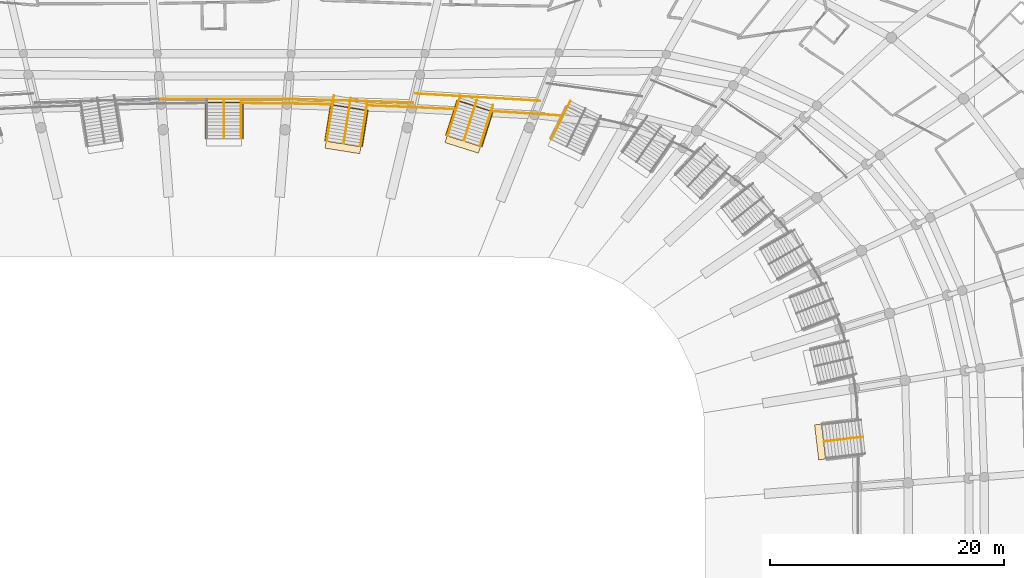
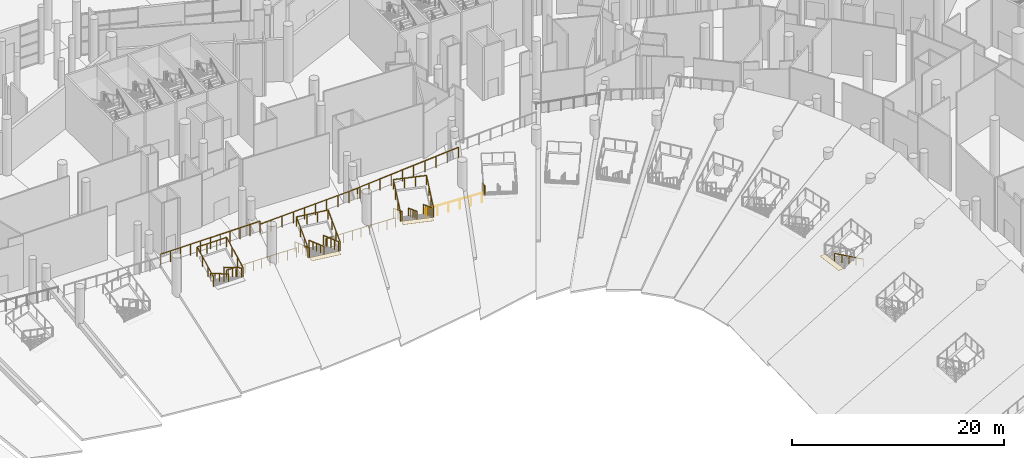
# One storey, part 239 of 255: 19 railings, 3 coverings.
"""IFC4 building model written with IfcOpenShell, lengths in metres."""

from ifc_helpers import new_model, si_unit, direction, frame, origin, origin_2d, place, context, subcontext, project, spatial, rectangle, circle, extrude, material, layer, layer_set, type_object, element, save


model = new_model("IFC4")

# Units and contexts
model_context = context("Model", 3, precision=1e-05, world=origin(), true_north=direction((0.0, 1.0)))
body_context = subcontext(model_context, "Body", "Model", "MODEL_VIEW")
ifc_project = project(units=[si_unit("LENGTHUNIT", "METRE"), si_unit("AREAUNIT", "SQUARE_METRE"), si_unit("VOLUMEUNIT", "CUBIC_METRE"), si_unit("PLANEANGLEUNIT", "RADIAN"), si_unit("MASSUNIT", "GRAM", prefix="KILO")], contexts=[model_context])

# Site, building, storey
site_placement = place(None, origin())
site = spatial("IfcSite", under=ifc_project, at=site_placement, CompositionType="ELEMENT")
building_placement = place(site_placement, origin())
building = spatial("IfcBuilding", under=site, at=building_placement, Name="Meseta Stadium", CompositionType="ELEMENT")
storey_placement = place(building_placement, origin())
storey = spatial("IfcBuildingStorey", under=building, at=storey_placement, Name="L00", CompositionType="ELEMENT", Elevation=0.0)

# Railings
ifc_material_1 = material(Name="Steel S355", Category="steel")
railing_type_1 = type_object("IfcRailingType", Name="Plate edge guard 1100", PredefinedType="GUARDRAIL", material=ifc_material_1)
railing_1_placement = place(storey_placement, frame((28.782958984375, 72.031005859375, 0.0)))
element("IfcRailing", 1, at=railing_1_placement, inside=storey, type_object=railing_type_1, Name="L00 inner edge guard 17", PredefinedType="GUARDRAIL", context=body_context, shape_type="SweptSolid", body=[
    extrude(circle(Radius=0.02490234375, at=origin_2d()), frame((0.0, 0.0, 1.0751953125), z_axis=(-0.99784849256, 0.065562076657, 0.0), x_axis=(-0.065562076657, -0.99784849256, 0.0)), (0.0, 0.0, 1.0), 2.31982421875),
    extrude(circle(Radius=0.02490234375, at=origin_2d()), frame((-2.31494140625, 0.152099609375, 1.0751953125), z_axis=(-0.998168496631, 0.060495060402, 0.0), x_axis=(-0.060495060402, -0.998168496631, 0.0)), (0.0, 0.0, 1.0), 3.57568359375),
    extrude(circle(Radius=0.02001953125, at=origin_2d()), origin(), (0.0, 0.0, 1.0), 1.050048828125),
    extrude(circle(Radius=0.02001953125, at=origin_2d()), frame((-1.157470703125, 0.076171875, 0.0)), (0.0, 0.0, 1.0), 1.050048828125),
    extrude(circle(Radius=0.02001953125, at=origin_2d()), frame((-2.31494140625, 0.152099609375, 0.0)), (0.0, 0.0, 1.0), 1.050048828125),
    extrude(circle(Radius=0.02001953125, at=origin_2d()), frame((-3.504638671875, 0.22412109375, 0.0)), (0.0, 0.0, 1.0), 1.050048828125),
    extrude(circle(Radius=0.02001953125, at=origin_2d()), frame((-4.6943359375, 0.29638671875, 0.0)), (0.0, 0.0, 1.0), 1.050048828125),
    extrude(circle(Radius=0.02001953125, at=origin_2d()), frame((-5.884033203125, 0.368408203125, 0.0)), (0.0, 0.0, 1.0), 1.050048828125),
])
railing_2_placement = place(storey_placement, frame((19.660400390625, 72.5751953125, 0.0)))
element("IfcRailing", 2, at=railing_2_placement, inside=storey, type_object=railing_type_1, Name="L00 inner edge guard 18", PredefinedType="GUARDRAIL", context=body_context, shape_type="SweptSolid", body=[
    extrude(circle(Radius=0.02490234375, at=origin_2d()), frame((0.0, 0.0, 1.0751953125), z_axis=(-0.99889955311, 0.04690077607, 0.0), x_axis=(-0.04690077607, -0.99889955311, 0.0)), (0.0, 0.0, 1.0), 3.64892578125),
    extrude(circle(Radius=0.02490234375, at=origin_2d()), frame((-3.64501953125, 0.171142578125, 1.0751953125), z_axis=(-0.999269861076, 0.038206606047, 0.0), x_axis=(-0.038206606047, -0.999269861076, 0.0)), (0.0, 0.0, 1.0), 3.725341796875),
    extrude(circle(Radius=0.02001953125, at=origin_2d()), origin(), (0.0, 0.0, 1.0), 1.050048828125),
    extrude(circle(Radius=0.02001953125, at=origin_2d()), frame((-0.9111328125, 0.042724609375, 0.0)), (0.0, 0.0, 1.0), 1.050048828125),
    extrude(circle(Radius=0.02001953125, at=origin_2d()), frame((-1.822509765625, 0.08544921875, 0.0)), (0.0, 0.0, 1.0), 1.050048828125),
    extrude(circle(Radius=0.02001953125, at=origin_2d()), frame((-2.73388671875, 0.12841796875, 0.0)), (0.0, 0.0, 1.0), 1.050048828125),
    extrude(circle(Radius=0.02001953125, at=origin_2d()), frame((-3.64501953125, 0.171142578125, 0.0)), (0.0, 0.0, 1.0), 1.050048828125),
    extrude(circle(Radius=0.02001953125, at=origin_2d()), frame((-4.57568359375, 0.206787109375, 0.0)), (0.0, 0.0, 1.0), 1.050048828125),
    extrude(circle(Radius=0.02001953125, at=origin_2d()), frame((-5.50634765625, 0.2421875, 0.0)), (0.0, 0.0, 1.0), 1.050048828125),
    extrude(circle(Radius=0.02001953125, at=origin_2d()), frame((-6.43701171875, 0.27783203125, 0.0)), (0.0, 0.0, 1.0), 1.050048828125),
    extrude(circle(Radius=0.02001953125, at=origin_2d()), frame((-7.36767578125, 0.3134765625, 0.0)), (0.0, 0.0, 1.0), 1.050048828125),
])
railing_3_placement = place(storey_placement, frame((9.12841796875, 72.982421875, 0.0)))
element("IfcRailing", 3, at=railing_3_placement, inside=storey, type_object=railing_type_1, Name="L00 inner edge guard 19", PredefinedType="GUARDRAIL", context=body_context, shape_type="SweptSolid", body=[
    extrude(circle(Radius=0.02490234375, at=origin_2d()), frame((0.0, 0.0, 1.0751953125), z_axis=(-0.999737298967, 0.022920145151, 0.0), x_axis=(-0.022920145151, -0.999737298967, 0.0)), (0.0, 0.0, 1.0), 1.981201171875),
    extrude(circle(Radius=0.02490234375, at=origin_2d()), frame((-1.980712890625, 0.04541015625, 1.0751953125), z_axis=(-0.99984668871, 0.017509970742, 0.0), x_axis=(-0.017509970742, -0.99984668871, 0.0)), (0.0, 0.0, 1.0), 1.78466796875),
    extrude(circle(Radius=0.02490234375, at=origin_2d()), frame((-3.76513671875, 0.07666015625, 1.0751953125), z_axis=(-0.99991923612, 0.012709100582, 0.0), x_axis=(-0.012709100582, -0.99991923612, 0.0)), (0.0, 0.0, 1.0), 1.78662109375),
    extrude(circle(Radius=0.02490234375, at=origin_2d()), frame((-5.551513671875, 0.099365234375, 1.0751953125), z_axis=(-0.999975107636, 0.007055785431, 0.0), x_axis=(-0.007055785431, -0.999975107636, 0.0)), (0.0, 0.0, 1.0), 2.0068359375),
    extrude(circle(Radius=0.02001953125, at=origin_2d()), origin(), (0.0, 0.0, 1.0), 1.050048828125),
    extrude(circle(Radius=0.02001953125, at=origin_2d()), frame((-0.990234375, 0.022705078125, 0.0)), (0.0, 0.0, 1.0), 1.050048828125),
    extrude(circle(Radius=0.02001953125, at=origin_2d()), frame((-1.980712890625, 0.04541015625, 0.0)), (0.0, 0.0, 1.0), 1.050048828125),
    extrude(circle(Radius=0.02001953125, at=origin_2d()), frame((-2.873046875, 0.06103515625, 0.0)), (0.0, 0.0, 1.0), 1.050048828125),
    extrude(circle(Radius=0.02001953125, at=origin_2d()), frame((-3.76513671875, 0.07666015625, 0.0)), (0.0, 0.0, 1.0), 1.050048828125),
    extrude(circle(Radius=0.02001953125, at=origin_2d()), frame((-4.658203125, 0.087890625, 0.0)), (0.0, 0.0, 1.0), 1.050048828125),
    extrude(circle(Radius=0.02001953125, at=origin_2d()), frame((-5.551513671875, 0.099365234375, 0.0)), (0.0, 0.0, 1.0), 1.050048828125),
    extrude(circle(Radius=0.02001953125, at=origin_2d()), frame((-6.554931640625, 0.1064453125, 0.0)), (0.0, 0.0, 1.0), 1.050048828125),
    extrude(circle(Radius=0.02001953125, at=origin_2d()), frame((-7.558349609375, 0.113525390625, 0.0)), (0.0, 0.0, 1.0), 1.050048828125),
])
ifc_material_2 = material(Name="Steel S355", Category="steel")
railing_type_2 = type_object("IfcRailingType", Name="Stand rear guard 1300", PredefinedType="GUARDRAIL", material=ifc_material_2)
railing_4_placement = place(storey_placement, frame((26.941162109375, 73.291748046875, 4.943603515625)))
element("IfcRailing", 4, at=railing_4_placement, inside=storey, type_object=railing_type_2, Name="Stand lower tier rear guard bay 17", PredefinedType="GUARDRAIL", context=body_context, shape_type="SweptSolid", body=[
    extrude(circle(Radius=0.02490234375, at=origin_2d()), frame((0.0, 0.0, 1.27490234375), z_axis=(-0.990502676823, 0.05772016931, -0.124791142557), x_axis=(-0.058174920753, -0.998306405166, 0.0)), (0.0, 0.0, 1.0), 10.730712890625),
    extrude(circle(Radius=0.02001953125, at=origin_2d()), origin(), (0.0, 0.0, 1.0), 1.25),
    extrude(circle(Radius=0.02001953125, at=origin_2d()), frame((-1.180908203125, 0.06884765625, -0.148681640625)), (0.0, 0.0, 1.0), 1.25),
    extrude(circle(Radius=0.02001953125, at=origin_2d()), frame((-2.362060546875, 0.1376953125, -0.297607421875)), (0.0, 0.0, 1.0), 1.25),
    extrude(circle(Radius=0.02001953125, at=origin_2d()), frame((-3.54296875, 0.20654296875, -0.4462890625)), (0.0, 0.0, 1.0), 1.25),
    extrude(circle(Radius=0.02001953125, at=origin_2d()), frame((-4.723876953125, 0.275390625, -0.59521484375)), (0.0, 0.0, 1.0), 1.25),
    extrude(circle(Radius=0.02001953125, at=origin_2d()), frame((-5.905029296875, 0.343994140625, -0.743896484375)), (0.0, 0.0, 1.0), 1.25),
    extrude(circle(Radius=0.02001953125, at=origin_2d()), frame((-7.0859375, 0.412841796875, -0.892822265625)), (0.0, 0.0, 1.0), 1.25),
    extrude(circle(Radius=0.02001953125, at=origin_2d()), frame((-8.266845703125, 0.481689453125, -1.04150390625)), (0.0, 0.0, 1.0), 1.25),
    extrude(circle(Radius=0.02001953125, at=origin_2d()), frame((-9.447998046875, 0.550537109375, -1.1904296875)), (0.0, 0.0, 1.0), 1.25),
    extrude(circle(Radius=0.02001953125, at=origin_2d()), frame((-10.62890625, 0.619384765625, -1.339111328125)), (0.0, 0.0, 1.0), 1.25),
])
railing_5_placement = place(storey_placement, frame((16.126953125, 73.1328125, 4.21142578125)))
element("IfcRailing", 5, at=railing_5_placement, inside=storey, type_object=railing_type_2, Name="Stand lower tier rear guard bay 18", PredefinedType="GUARDRAIL", context=body_context, shape_type="SweptSolid", body=[
    extrude(circle(Radius=0.02490234375, at=origin_2d()), frame((0.0, 0.0, 1.27490234375), z_axis=(-0.997458319074, 0.030219817506, -0.064526462324), x_axis=(-0.030282927239, -0.999541366987, 0.0)), (0.0, 0.0, 1.0), 10.7529296875),
    extrude(circle(Radius=0.02001953125, at=origin_2d()), origin(), (0.0, 0.0, 1.0), 1.25),
    extrude(circle(Radius=0.02001953125, at=origin_2d()), frame((-1.191650390625, 0.0361328125, -0.0771484375)), (0.0, 0.0, 1.0), 1.25),
    extrude(circle(Radius=0.02001953125, at=origin_2d()), frame((-2.383544921875, 0.072265625, -0.154296875)), (0.0, 0.0, 1.0), 1.25),
    extrude(circle(Radius=0.02001953125, at=origin_2d()), frame((-3.5751953125, 0.1083984375, -0.231201171875)), (0.0, 0.0, 1.0), 1.25),
    extrude(circle(Radius=0.02001953125, at=origin_2d()), frame((-4.766845703125, 0.14453125, -0.308349609375)), (0.0, 0.0, 1.0), 1.25),
    extrude(circle(Radius=0.02001953125, at=origin_2d()), frame((-5.958740234375, 0.180419921875, -0.385498046875)), (0.0, 0.0, 1.0), 1.25),
    extrude(circle(Radius=0.02001953125, at=origin_2d()), frame((-7.150390625, 0.216552734375, -0.462646484375)), (0.0, 0.0, 1.0), 1.25),
    extrude(circle(Radius=0.02001953125, at=origin_2d()), frame((-8.342041015625, 0.252685546875, -0.53955078125)), (0.0, 0.0, 1.0), 1.25),
    extrude(circle(Radius=0.02001953125, at=origin_2d()), frame((-9.533935546875, 0.288818359375, -0.61669921875)), (0.0, 0.0, 1.0), 1.25),
    extrude(circle(Radius=0.02001953125, at=origin_2d()), frame((-10.7255859375, 0.324951171875, -0.69384765625)), (0.0, 0.0, 1.0), 1.25),
])
railing_6_placement = place(storey_placement, frame((5.4013671875, 73.457763671875, 3.86328125)))
element("IfcRailing", 6, at=railing_6_placement, inside=storey, type_object=railing_type_2, Name="Stand lower tier rear guard bay 19", PredefinedType="GUARDRAIL", context=body_context, shape_type="SweptSolid", body=[
    extrude(circle(Radius=0.02490234375, at=origin_2d()), frame((0.0, 0.0, 1.27490234375), z_axis=(-1.0, 0.0, 0.0), x_axis=(0.0, -1.0, 0.0)), (0.0, 0.0, 1.0), 10.802734375),
    extrude(circle(Radius=0.02001953125, at=origin_2d()), origin(), (0.0, 0.0, 1.0), 1.25),
    extrude(circle(Radius=0.02001953125, at=origin_2d()), frame((-1.080322265625, 0.0, 0.0)), (0.0, 0.0, 1.0), 1.25),
    extrude(circle(Radius=0.02001953125, at=origin_2d()), frame((-2.16064453125, 0.0, 0.0)), (0.0, 0.0, 1.0), 1.25),
    extrude(circle(Radius=0.02001953125, at=origin_2d()), frame((-3.24072265625, 0.0, 0.0)), (0.0, 0.0, 1.0), 1.25),
    extrude(circle(Radius=0.02001953125, at=origin_2d()), frame((-4.321044921875, 0.0, 0.0)), (0.0, 0.0, 1.0), 1.25),
    extrude(circle(Radius=0.02001953125, at=origin_2d()), frame((-5.4013671875, 0.0, 0.0)), (0.0, 0.0, 1.0), 1.25),
    extrude(circle(Radius=0.02001953125, at=origin_2d()), frame((-6.481689453125, 0.0, 0.0)), (0.0, 0.0, 1.0), 1.25),
    extrude(circle(Radius=0.02001953125, at=origin_2d()), frame((-7.56201171875, 0.0, 0.0)), (0.0, 0.0, 1.0), 1.25),
    extrude(circle(Radius=0.02001953125, at=origin_2d()), frame((-8.64208984375, 0.0, 0.0)), (0.0, 0.0, 1.0), 1.25),
    extrude(circle(Radius=0.02001953125, at=origin_2d()), frame((-9.722412109375, 0.0, 0.0)), (0.0, 0.0, 1.0), 1.25),
    extrude(circle(Radius=0.02001953125, at=origin_2d()), frame((-10.802734375, 0.0, 0.0)), (0.0, 0.0, 1.0), 1.25),
])

# Coverings
ifc_material_3 = material(Name="Stone paving", Category="masonry")
ifc_layer = layer(ifc_material_3, 0.02001953125)
ifc_layer_set = layer_set([ifc_layer], Name="Vomitory exit threshold plate 20")
covering_type = type_object("IfcCoveringType", Name="Vomitory exit threshold plate 20", PredefinedType="FLOORING", material=ifc_layer_set)
for number, where, z_axis, x_axis, name in (
    (7, (50.83349609375, 44.199951171875, 2.228515625), (0.0, 0.0, 1.0), (-0.993015017931, -0.117988025512, 0.0), "Vomitory V-lower-09 exit threshold"),
    (8, (20.3525390625, 69.566650390625, 2.270263671875), (0.0, 0.0, 1.0), (-0.302579501013, -0.953124150133, 0.0), "Vomitory V-lower-17 exit threshold"),
    (9, (10.1357421875, 69.314453125, 1.963134765625), (0.0, 0.0, 1.0), (-0.15676715754, -0.987635589839, 0.0), "Vomitory V-lower-18 exit threshold"),
):
    element("IfcCovering", number, at=place(storey_placement, frame(where, z_axis=z_axis, x_axis=x_axis)), inside=storey, type_object=covering_type, Name=name, PredefinedType="FLOORING", context=body_context, shape_type="SweptSolid", body=[
        extrude(rectangle(XDim=0.60009765625, YDim=3.0, at=origin_2d()), origin(), (0.0, 0.0, 1.0), 0.02001953125),
    ])

# Railings
ifc_material_4 = material(Name="Steel S355", Category="steel")
railing_type_3 = type_object("IfcRailingType", Name="Vomitory slot guard 1100", PredefinedType="GUARDRAIL", material=ifc_material_4)
railing_7_placement = place(storey_placement, frame((18.930908203125, 70.376220703125, 2.290283203125)))
element("IfcRailing", 10, at=railing_7_placement, inside=storey, type_object=railing_type_3, Name="Vomitory V-lower-17 slot guard", PredefinedType="GUARDRAIL", context=body_context, shape_type="SweptSolid", body=[
    extrude(circle(Radius=0.02490234375, at=origin_2d()), frame((0.0, 0.0, 1.0751953125), z_axis=(0.269559287174, 0.849090706242, 0.454293697151), x_axis=(-0.95312210395, 0.302585946404, 0.0)), (0.0, 0.0, 1.0), 3.479736328125),
    extrude(circle(Radius=0.02490234375, at=origin_2d()), frame((0.93798828125, 2.95458984375, 2.65576171875), z_axis=(0.953117980059, -0.302598936032, 0.0), x_axis=(0.302598936032, 0.953117980059, 0.0)), (0.0, 0.0, 1.0), 3.19970703125),
    extrude(circle(Radius=0.02490234375, at=origin_2d()), frame((3.98779296875, 1.986328125, 2.65576171875), z_axis=(-0.269543229433, -0.84911028262, -0.454266634716), x_axis=(0.953129314029, -0.302563234281, 0.0)), (0.0, 0.0, 1.0), 3.47998046875),
    extrude(circle(Radius=0.02001953125, at=origin_2d()), origin(), (0.0, 0.0, 1.0), 1.050048828125),
    extrude(circle(Radius=0.02001953125, at=origin_2d()), frame((0.312744140625, 0.98486328125, 0.52685546875)), (0.0, 0.0, 1.0), 1.050048828125),
    extrude(circle(Radius=0.02001953125, at=origin_2d()), frame((0.625244140625, 1.9697265625, 1.053955078125)), (0.0, 0.0, 1.0), 1.050048828125),
    extrude(circle(Radius=0.02001953125, at=origin_2d()), frame((0.93798828125, 2.95458984375, 1.580810546875)), (0.0, 0.0, 1.0), 1.050048828125),
    extrude(circle(Radius=0.02001953125, at=origin_2d()), frame((1.95458984375, 2.6318359375, 1.580810546875)), (0.0, 0.0, 1.0), 1.050048828125),
    extrude(circle(Radius=0.02001953125, at=origin_2d()), frame((2.97119140625, 2.30908203125, 1.580810546875)), (0.0, 0.0, 1.0), 1.050048828125),
    extrude(circle(Radius=0.02001953125, at=origin_2d()), frame((3.98779296875, 1.986328125, 1.580810546875)), (0.0, 0.0, 1.0), 1.050048828125),
    extrude(circle(Radius=0.02001953125, at=origin_2d()), frame((3.675048828125, 1.00146484375, 1.053955078125)), (0.0, 0.0, 1.0), 1.050048828125),
    extrude(circle(Radius=0.02001953125, at=origin_2d()), frame((3.362548828125, 0.016357421875, 0.52685546875)), (0.0, 0.0, 1.0), 1.050048828125),
    extrude(circle(Radius=0.02001953125, at=origin_2d()), frame((3.0498046875, -0.968505859375, 0.0)), (0.0, 0.0, 1.0), 1.050048828125),
])
railing_8_placement = place(storey_placement, frame((8.609130859375, 69.902099609375, 1.983154296875)))
element("IfcRailing", 11, at=railing_8_placement, inside=storey, type_object=railing_type_3, Name="Vomitory V-lower-18 slot guard", PredefinedType="GUARDRAIL", context=body_context, shape_type="SweptSolid", body=[
    extrude(circle(Radius=0.02490234375, at=origin_2d()), frame((0.0, 0.0, 1.0751953125), z_axis=(0.139610332251, 0.879825716963, 0.454329905355), x_axis=(-0.98764326903, 0.156718770861, 0.0)), (0.0, 0.0, 1.0), 3.47998046875),
    extrude(circle(Radius=0.02490234375, at=origin_2d()), frame((0.48583984375, 3.061767578125, 2.65625), z_axis=(0.987634591008, -0.156773450063, 0.0), x_axis=(0.156773450063, 0.987634591008, 0.0)), (0.0, 0.0, 1.0), 3.2001953125),
    extrude(circle(Radius=0.02490234375, at=origin_2d()), frame((3.646484375, 2.56005859375, 2.65625), z_axis=(-0.139687741753, -0.879801246401, -0.45435349854), x_axis=(0.987629140267, -0.156807784551, 0.0)), (0.0, 0.0, 1.0), 3.479736328125),
    extrude(circle(Radius=0.02001953125, at=origin_2d()), origin(), (0.0, 0.0, 1.0), 1.050048828125),
    extrude(circle(Radius=0.02001953125, at=origin_2d()), frame((0.161865234375, 1.0205078125, 0.527099609375)), (0.0, 0.0, 1.0), 1.050048828125),
    extrude(circle(Radius=0.02001953125, at=origin_2d()), frame((0.323974609375, 2.041259765625, 1.053955078125)), (0.0, 0.0, 1.0), 1.050048828125),
    extrude(circle(Radius=0.02001953125, at=origin_2d()), frame((0.48583984375, 3.061767578125, 1.5810546875)), (0.0, 0.0, 1.0), 1.050048828125),
    extrude(circle(Radius=0.02001953125, at=origin_2d()), frame((1.539306640625, 2.89453125, 1.5810546875)), (0.0, 0.0, 1.0), 1.050048828125),
    extrude(circle(Radius=0.02001953125, at=origin_2d()), frame((2.593017578125, 2.727294921875, 1.5810546875)), (0.0, 0.0, 1.0), 1.050048828125),
    extrude(circle(Radius=0.02001953125, at=origin_2d()), frame((3.646484375, 2.56005859375, 1.5810546875)), (0.0, 0.0, 1.0), 1.050048828125),
    extrude(circle(Radius=0.02001953125, at=origin_2d()), frame((3.484375, 1.53955078125, 1.053955078125)), (0.0, 0.0, 1.0), 1.050048828125),
    extrude(circle(Radius=0.02001953125, at=origin_2d()), frame((3.322509765625, 0.51904296875, 0.527099609375)), (0.0, 0.0, 1.0), 1.050048828125),
    extrude(circle(Radius=0.02001953125, at=origin_2d()), frame((3.160400390625, -0.50146484375, 0.0)), (0.0, 0.0, 1.0), 1.050048828125),
])
railing_9_placement = place(storey_placement, frame((-1.60009765625, 70.068359375, 2.135009765625)))
element("IfcRailing", 12, at=railing_9_placement, inside=storey, type_object=railing_type_3, Name="Vomitory V-lower-19 slot guard", PredefinedType="GUARDRAIL", context=body_context, shape_type="SweptSolid", body=[
    extrude(circle(Radius=0.02490234375, at=origin_2d()), frame((0.0, 0.0, 1.0751953125), z_axis=(0.0, 0.890848802533, 0.454299913082), x_axis=(-1.0, 0.0, 0.0)), (0.0, 0.0, 1.0), 3.479736328125),
    extrude(circle(Radius=0.02490234375, at=origin_2d()), frame((0.0, 3.099853515625, 2.65576171875), z_axis=(1.0, 0.0, 0.0), x_axis=(0.0, 1.0, 0.0)), (0.0, 0.0, 1.0), 3.2001953125),
    extrude(circle(Radius=0.02490234375, at=origin_2d()), frame((3.2001953125, 3.099853515625, 2.65576171875), z_axis=(0.0, -0.890848802533, -0.454299913082), x_axis=(1.0, 0.0, 0.0)), (0.0, 0.0, 1.0), 3.479736328125),
    extrude(circle(Radius=0.02001953125, at=origin_2d()), origin(), (0.0, 0.0, 1.0), 1.050048828125),
    extrude(circle(Radius=0.02001953125, at=origin_2d()), frame((0.0, 1.033203125, 0.52685546875)), (0.0, 0.0, 1.0), 1.050048828125),
    extrude(circle(Radius=0.02001953125, at=origin_2d()), frame((0.0, 2.066650390625, 1.053955078125)), (0.0, 0.0, 1.0), 1.050048828125),
    extrude(circle(Radius=0.02001953125, at=origin_2d()), frame((0.0, 3.099853515625, 1.580810546875)), (0.0, 0.0, 1.0), 1.050048828125),
    extrude(circle(Radius=0.02001953125, at=origin_2d()), frame((1.066650390625, 3.099853515625, 1.580810546875)), (0.0, 0.0, 1.0), 1.050048828125),
    extrude(circle(Radius=0.02001953125, at=origin_2d()), frame((2.133544921875, 3.099853515625, 1.580810546875)), (0.0, 0.0, 1.0), 1.050048828125),
    extrude(circle(Radius=0.02001953125, at=origin_2d()), frame((3.2001953125, 3.099853515625, 1.580810546875)), (0.0, 0.0, 1.0), 1.050048828125),
    extrude(circle(Radius=0.02001953125, at=origin_2d()), frame((3.2001953125, 2.066650390625, 1.053955078125)), (0.0, 0.0, 1.0), 1.050048828125),
    extrude(circle(Radius=0.02001953125, at=origin_2d()), frame((3.2001953125, 1.033203125, 0.52685546875)), (0.0, 0.0, 1.0), 1.050048828125),
    extrude(circle(Radius=0.02001953125, at=origin_2d()), frame((3.2001953125, 0.0, 0.0)), (0.0, 0.0, 1.0), 1.050048828125),
])
ifc_material_5 = material(Name="Steel S355", Category="steel")
railing_type_4 = type_object("IfcRailingType", Name="Vomitory stair guard 1100", PredefinedType="GUARDRAIL", material=ifc_material_5)
railing_10_placement = place(storey_placement, frame((29.527587890625, 73.285400390625, 0.167236328125)))
element("IfcRailing", 13, at=railing_10_placement, inside=storey, type_object=railing_type_4, Name="Vomitory V-lower-16 guard right", PredefinedType="GUARDRAIL", context=body_context, shape_type="SweptSolid", body=[
    extrude(circle(Radius=0.02490234375, at=origin_2d()), frame((0.0, 0.0, 1.0751953125), z_axis=(-0.37602612148, -0.771861276005, 0.512673898857), x_axis=(0.898993931431, -0.437961084172, 0.0)), (0.0, 0.0, 1.0), 4.23974609375),
    extrude(circle(Radius=0.02001953125, at=origin_2d()), origin(), (0.0, 0.0, 1.0), 1.050048828125),
    extrude(circle(Radius=0.02001953125, at=origin_2d()), frame((-0.3984375, -0.818115234375, 0.54345703125)), (0.0, 0.0, 1.0), 1.050048828125),
    extrude(circle(Radius=0.02001953125, at=origin_2d()), frame((-0.797119140625, -1.63623046875, 1.0869140625)), (0.0, 0.0, 1.0), 1.050048828125),
    extrude(circle(Radius=0.02001953125, at=origin_2d()), frame((-1.19580078125, -2.454345703125, 1.630126953125)), (0.0, 0.0, 1.0), 1.050048828125),
    extrude(circle(Radius=0.02001953125, at=origin_2d()), frame((-1.59423828125, -3.2724609375, 2.173583984375)), (0.0, 0.0, 1.0), 1.050048828125),
])
railing_11_placement = place(storey_placement, frame((22.939208984375, 72.922607421875, 0.16357421875)))
element("IfcRailing", 14, at=railing_11_placement, inside=storey, type_object=railing_type_4, Name="Vomitory V-lower-17 guard left", PredefinedType="GUARDRAIL", context=body_context, shape_type="SweptSolid", body=[
    extrude(circle(Radius=0.02490234375, at=origin_2d()), frame((0.0, 0.0, 1.0751953125), z_axis=(-0.261234943242, -0.822968250589, 0.504459674258), x_axis=(0.953132556517, -0.302553019664, 0.0)), (0.0, 0.0, 1.0), 4.2158203125),
    extrude(circle(Radius=0.02001953125, at=origin_2d()), origin(), (0.0, 0.0, 1.0), 1.050048828125),
    extrude(circle(Radius=0.02001953125, at=origin_2d()), frame((-0.275390625, -0.867431640625, 0.53173828125)), (0.0, 0.0, 1.0), 1.050048828125),
    extrude(circle(Radius=0.02001953125, at=origin_2d()), frame((-0.55078125, -1.73486328125, 1.0634765625)), (0.0, 0.0, 1.0), 1.050048828125),
    extrude(circle(Radius=0.02001953125, at=origin_2d()), frame((-0.825927734375, -2.60205078125, 1.594970703125)), (0.0, 0.0, 1.0), 1.050048828125),
    extrude(circle(Radius=0.02001953125, at=origin_2d()), frame((-1.101318359375, -3.469482421875, 2.126708984375)), (0.0, 0.0, 1.0), 1.050048828125),
])
railing_12_placement = place(storey_placement, frame((20.175048828125, 73.800048828125, 0.16357421875)))
element("IfcRailing", 15, at=railing_12_placement, inside=storey, type_object=railing_type_4, Name="Vomitory V-lower-17 guard right", PredefinedType="GUARDRAIL", context=body_context, shape_type="SweptSolid", body=[
    extrude(circle(Radius=0.02490234375, at=origin_2d()), frame((0.0, 0.0, 1.0751953125), z_axis=(-0.261247393792, -0.822949560139, 0.504483716986), x_axis=(0.953126416447, -0.30257236204, 0.0)), (0.0, 0.0, 1.0), 4.215576171875),
    extrude(circle(Radius=0.02001953125, at=origin_2d()), origin(), (0.0, 0.0, 1.0), 1.050048828125),
    extrude(circle(Radius=0.02001953125, at=origin_2d()), frame((-0.275390625, -0.8671875, 0.53173828125)), (0.0, 0.0, 1.0), 1.050048828125),
    extrude(circle(Radius=0.02001953125, at=origin_2d()), frame((-0.55078125, -1.734619140625, 1.0634765625)), (0.0, 0.0, 1.0), 1.050048828125),
    extrude(circle(Radius=0.02001953125, at=origin_2d()), frame((-0.825927734375, -2.60205078125, 1.594970703125)), (0.0, 0.0, 1.0), 1.050048828125),
    extrude(circle(Radius=0.02001953125, at=origin_2d()), frame((-1.101318359375, -3.46923828125, 2.126708984375)), (0.0, 0.0, 1.0), 1.050048828125),
])
for number, where, name in (
    (16, (12.23583984375, 73.295654296875, 0.132080078125), "Vomitory V-lower-18 guard left"),
    (17, (9.37158203125, 73.750244140625, 0.132080078125), "Vomitory V-lower-18 guard right"),
):
    element("IfcRailing", number, at=place(storey_placement, frame(where)), inside=storey, type_object=railing_type_4, Name=name, PredefinedType="GUARDRAIL", context=body_context, shape_type="SweptSolid", body=[
        extrude(circle(Radius=0.02490234375, at=origin_2d()), frame((0.0, 0.0, 1.0751953125), z_axis=(-0.141749810078, -0.89307448876, 0.42699525626), x_axis=(0.987636905965, -0.156758865703, 0.0)), (0.0, 0.0, 1.0), 4.335205078125),
        extrude(circle(Radius=0.02001953125, at=origin_2d()), origin(), (0.0, 0.0, 1.0), 1.050048828125),
        extrude(circle(Radius=0.02001953125, at=origin_2d()), frame((-0.153564453125, -0.9677734375, 0.462890625)), (0.0, 0.0, 1.0), 1.050048828125),
        extrude(circle(Radius=0.02001953125, at=origin_2d()), frame((-0.30712890625, -1.935791015625, 0.925537109375)), (0.0, 0.0, 1.0), 1.050048828125),
        extrude(circle(Radius=0.02001953125, at=origin_2d()), frame((-0.4609375, -2.90380859375, 1.38818359375)), (0.0, 0.0, 1.0), 1.050048828125),
        extrude(circle(Radius=0.02001953125, at=origin_2d()), frame((-0.614501953125, -3.87158203125, 1.85107421875)), (0.0, 0.0, 1.0), 1.050048828125),
    ])
railing_13_placement = place(storey_placement, frame((1.449951171875, 73.42822265625, 0.164306640625)))
element("IfcRailing", 18, at=railing_13_placement, inside=storey, type_object=railing_type_4, Name="Vomitory V-lower-19 guard left", PredefinedType="GUARDRAIL", context=body_context, shape_type="SweptSolid", body=[
    extrude(circle(Radius=0.02490234375, at=origin_2d()), frame((0.0, 0.0, 1.0751953125), z_axis=(0.0, -0.862571589206, 0.505935028926), x_axis=(1.0, 0.0, 0.0)), (0.0, 0.0, 1.0), 3.895263671875),
    extrude(circle(Radius=0.02001953125, at=origin_2d()), origin(), (0.0, 0.0, 1.0), 1.050048828125),
    extrude(circle(Radius=0.02001953125, at=origin_2d()), frame((0.0, -0.83984375, 0.49267578125)), (0.0, 0.0, 1.0), 1.050048828125),
    extrude(circle(Radius=0.02001953125, at=origin_2d()), frame((0.0, -1.679931640625, 0.9853515625)), (0.0, 0.0, 1.0), 1.050048828125),
    extrude(circle(Radius=0.02001953125, at=origin_2d()), frame((0.0, -2.52001953125, 1.47802734375)), (0.0, 0.0, 1.0), 1.050048828125),
    extrude(circle(Radius=0.02001953125, at=origin_2d()), frame((0.0, -3.35986328125, 1.970703125)), (0.0, 0.0, 1.0), 1.050048828125),
])
ifc_material_6 = material(Name="Steel S355", Category="steel")
railing_type_5 = type_object("IfcRailingType", Name="Vomitory stair handrail 900", PredefinedType="HANDRAIL", material=ifc_material_6)
railing_14_placement = place(storey_placement, frame((54.5087890625, 44.63671875, 0.173095703125)))
element("IfcRailing", 19, at=railing_14_placement, inside=storey, type_object=railing_type_5, Name="Vomitory V-lower-09 central handrail", PredefinedType="HANDRAIL", context=body_context, shape_type="SweptSolid", body=[
    extrude(circle(Radius=0.02490234375, at=origin_2d()), frame((0.0, 0.0, 0.875), z_axis=(-0.844848000001, -0.100390221117, 0.525503244897), x_axis=(0.117996253847, -0.993014040222, 0.0)), (0.0, 0.0, 1.0), 3.949462890625),
    extrude(circle(Radius=0.02001953125, at=origin_2d()), origin(), (0.0, 0.0, 1.0), 0.849853515625),
    extrude(circle(Radius=0.02001953125, at=origin_2d()), frame((-0.834228515625, -0.09912109375, 0.518798828125)), (0.0, 0.0, 1.0), 0.849853515625),
    extrude(circle(Radius=0.02001953125, at=origin_2d()), frame((-1.66845703125, -0.1982421875, 1.03759765625)), (0.0, 0.0, 1.0), 0.849853515625),
    extrude(circle(Radius=0.02001953125, at=origin_2d()), frame((-2.50244140625, -0.29736328125, 1.556640625)), (0.0, 0.0, 1.0), 0.849853515625),
    extrude(circle(Radius=0.02001953125, at=origin_2d()), frame((-3.336669921875, -0.396484375, 2.075439453125)), (0.0, 0.0, 1.0), 0.849853515625),
])
railing_15_placement = place(storey_placement, frame((21.55712890625, 73.361328125, 0.16357421875)))
element("IfcRailing", 20, at=railing_15_placement, inside=storey, type_object=railing_type_5, Name="Vomitory V-lower-17 central handrail", PredefinedType="HANDRAIL", context=body_context, shape_type="SweptSolid", body=[
    extrude(circle(Radius=0.02490234375, at=origin_2d()), frame((0.0, 0.0, 0.875), z_axis=(-0.261234943242, -0.822968250589, 0.504459674258), x_axis=(0.953132556517, -0.302553019664, 0.0)), (0.0, 0.0, 1.0), 4.2158203125),
    extrude(circle(Radius=0.02001953125, at=origin_2d()), origin(), (0.0, 0.0, 1.0), 0.849853515625),
    extrude(circle(Radius=0.02001953125, at=origin_2d()), frame((-0.275390625, -0.867431640625, 0.53173828125)), (0.0, 0.0, 1.0), 0.849853515625),
    extrude(circle(Radius=0.02001953125, at=origin_2d()), frame((-0.55078125, -1.73486328125, 1.0634765625)), (0.0, 0.0, 1.0), 0.849853515625),
    extrude(circle(Radius=0.02001953125, at=origin_2d()), frame((-0.825927734375, -2.60205078125, 1.594970703125)), (0.0, 0.0, 1.0), 0.849853515625),
    extrude(circle(Radius=0.02001953125, at=origin_2d()), frame((-1.101318359375, -3.469482421875, 2.126708984375)), (0.0, 0.0, 1.0), 0.849853515625),
])
railing_16_placement = place(storey_placement, frame((10.8037109375, 73.52294921875, 0.132080078125)))
element("IfcRailing", 21, at=railing_16_placement, inside=storey, type_object=railing_type_5, Name="Vomitory V-lower-18 central handrail", PredefinedType="HANDRAIL", context=body_context, shape_type="SweptSolid", body=[
    extrude(circle(Radius=0.02490234375, at=origin_2d()), frame((0.0, 0.0, 0.875), z_axis=(-0.141749810078, -0.89307448876, 0.42699525626), x_axis=(0.987636905965, -0.156758865703, 0.0)), (0.0, 0.0, 1.0), 4.335205078125),
    extrude(circle(Radius=0.02001953125, at=origin_2d()), origin(), (0.0, 0.0, 1.0), 0.849853515625),
    extrude(circle(Radius=0.02001953125, at=origin_2d()), frame((-0.153564453125, -0.9677734375, 0.462890625)), (0.0, 0.0, 1.0), 0.849853515625),
    extrude(circle(Radius=0.02001953125, at=origin_2d()), frame((-0.30712890625, -1.935791015625, 0.925537109375)), (0.0, 0.0, 1.0), 0.849853515625),
    extrude(circle(Radius=0.02001953125, at=origin_2d()), frame((-0.4609375, -2.90380859375, 1.38818359375)), (0.0, 0.0, 1.0), 0.849853515625),
    extrude(circle(Radius=0.02001953125, at=origin_2d()), frame((-0.614501953125, -3.87158203125, 1.85107421875)), (0.0, 0.0, 1.0), 0.849853515625),
])
railing_17_placement = place(storey_placement, frame((0.0, 73.42822265625, 0.164306640625)))
element("IfcRailing", 22, at=railing_17_placement, inside=storey, type_object=railing_type_5, Name="Vomitory V-lower-19 central handrail", PredefinedType="HANDRAIL", context=body_context, shape_type="SweptSolid", body=[
    extrude(circle(Radius=0.02490234375, at=origin_2d()), frame((0.0, 0.0, 0.875), z_axis=(0.0, -0.862571589206, 0.505935028926), x_axis=(1.0, 0.0, 0.0)), (0.0, 0.0, 1.0), 3.895263671875),
    extrude(circle(Radius=0.02001953125, at=origin_2d()), origin(), (0.0, 0.0, 1.0), 0.849853515625),
    extrude(circle(Radius=0.02001953125, at=origin_2d()), frame((0.0, -0.83984375, 0.49267578125)), (0.0, 0.0, 1.0), 0.849853515625),
    extrude(circle(Radius=0.02001953125, at=origin_2d()), frame((0.0, -1.679931640625, 0.9853515625)), (0.0, 0.0, 1.0), 0.849853515625),
    extrude(circle(Radius=0.02001953125, at=origin_2d()), frame((0.0, -2.52001953125, 1.47802734375)), (0.0, 0.0, 1.0), 0.849853515625),
    extrude(circle(Radius=0.02001953125, at=origin_2d()), frame((0.0, -3.35986328125, 1.970703125)), (0.0, 0.0, 1.0), 0.849853515625),
])

save(model, "model.ifc")
